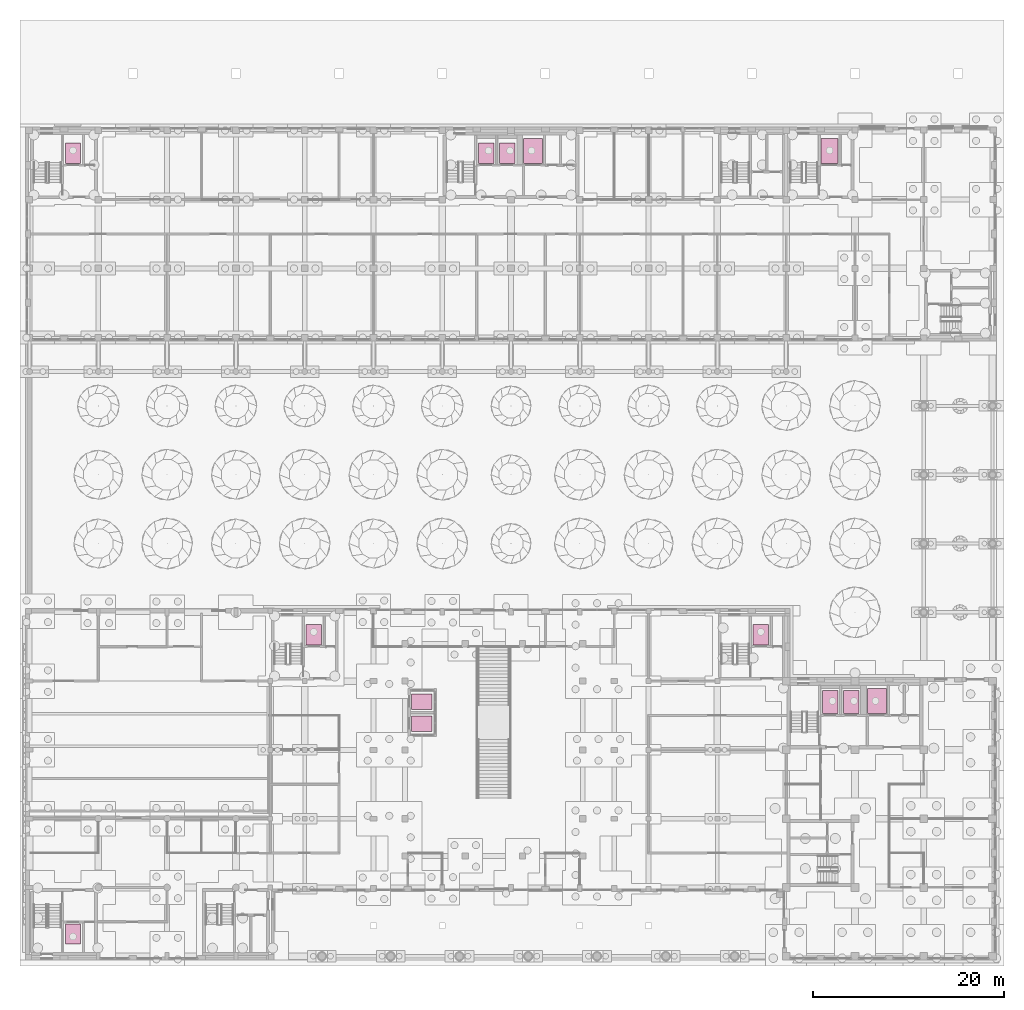
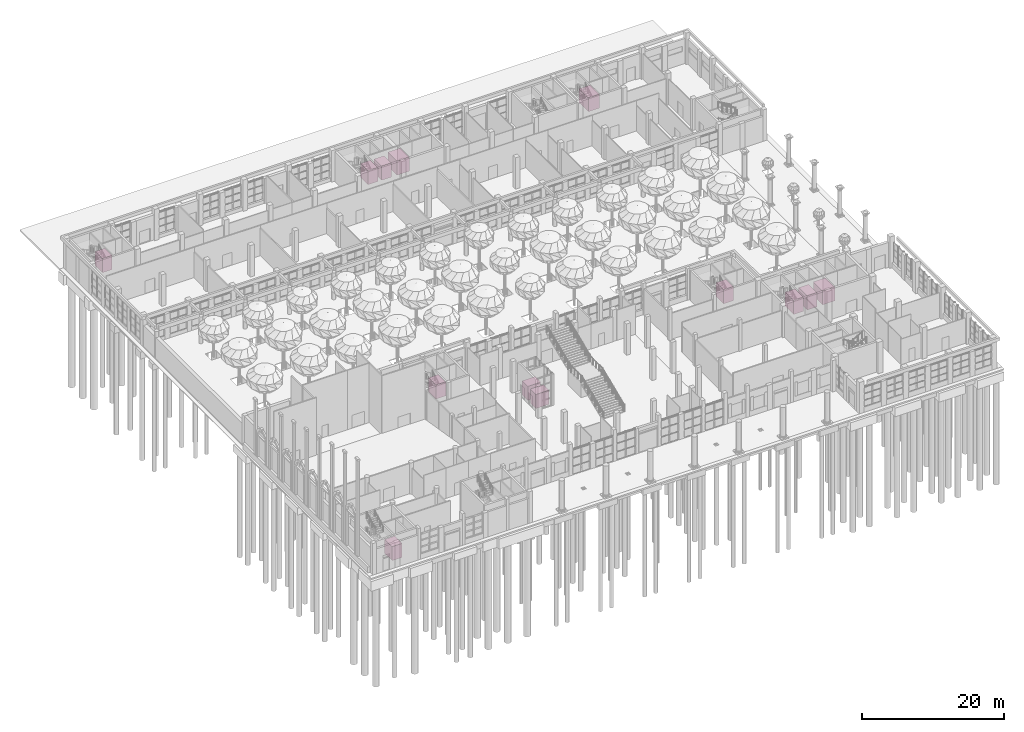
# One storey, part 75 of 80: 13 transport elements.
"""IFC4 building model written with IfcOpenShell, lengths in metres."""

from ifc_helpers import new_model, si_unit, direction, frame, origin, origin_2d, place, context, subcontext, project, spatial, rectangle, extrude, material, type_object, element, save


model = new_model("IFC4")

# Units and contexts
model_context = context("Model", 3, precision=1e-05, world=origin(), true_north=direction((0.0, 1.0)))
body_context = subcontext(model_context, "Body", "Model", "MODEL_VIEW")
ifc_project = project(units=[si_unit("LENGTHUNIT", "METRE"), si_unit("AREAUNIT", "SQUARE_METRE"), si_unit("VOLUMEUNIT", "CUBIC_METRE"), si_unit("PLANEANGLEUNIT", "RADIAN"), si_unit("MASSUNIT", "GRAM", prefix="KILO")], contexts=[model_context])

# Site, building, storey
site_placement = place(None, origin())
site = spatial("IfcSite", under=ifc_project, at=site_placement, CompositionType="ELEMENT")
building_placement = place(site_placement, origin())
building = spatial("IfcBuilding", under=site, at=building_placement, Name="Ussher Court Research Institute", CompositionType="ELEMENT")
storey_placement = place(building_placement, origin())
storey = spatial("IfcBuildingStorey", under=building, at=storey_placement, Name="L00", CompositionType="ELEMENT", Elevation=0.0)

# Transport elements
ifc_material_1 = material(Name="Stainless steel and glass lift car", Category="steel")
transport_element_type_1 = type_object("IfcTransportElementType", Name="Lift car 1600x2100 glazed passenger 1600 kg", PredefinedType="ELEVATOR", material=ifc_material_1)
for number, where, z_axis, x_axis, name in (
    (1, (44.050048828125, 28.35009765625, 0.0), (0.0, 0.0, 1.0), (1.0, 0.0, 0.0), "Lift LP7"),
    (2, (44.050048828125, 30.64990234375, 0.0), (0.0, 0.0, 1.0), (1.0, 0.0, 0.0), "Lift LP8"),
):
    element("IfcTransportElement", number, at=place(storey_placement, frame(where, z_axis=z_axis, x_axis=x_axis)), inside=storey, type_object=transport_element_type_1, Name=name, PredefinedType="ELEVATOR", context=body_context, shape_type="SweptSolid", body=[
        extrude(rectangle(XDim=2.10009765625, YDim=1.60009765625, at=origin_2d()), origin(), (0.0, 0.0, 1.0), 2.39990234375),
    ])
ifc_material_2 = material(Name="Stainless steel lift car", Category="steel")
transport_element_type_2 = type_object("IfcTransportElementType", Name="Lift car 1600x2100 passenger 1600 kg", PredefinedType="ELEVATOR", material=ifc_material_2)
for number, where, z_axis, x_axis, name in (
    (3, (7.550048828125, 88.050048828125, 0.0), (0.0, 0.0, 1.0), (1.0, 0.0, 0.0), "Lift LP3"),
    (4, (50.800048828125, 88.050048828125, 0.0), (0.0, 0.0, 1.0), (1.0, 0.0, 0.0), "Lift LP1"),
    (5, (53.0, 88.050048828125, 0.0), (0.0, 0.0, 1.0), (1.0, 0.0, 0.0), "Lift LP2"),
    (6, (79.550048828125, 37.64990234375, 0.0), (0.0, 0.0, 1.0), (1.0, 0.0, 0.0), "Lift LP5"),
    (7, (7.550048828125, 6.35009765625, 0.0), (0.0, 0.0, 1.0), (1.0, 0.0, 0.0), "Lift LP6"),
    (8, (32.75, 37.64990234375, 0.0), (0.0, 0.0, 1.0), (1.0, 0.0, 0.0), "Lift LP4"),
):
    element("IfcTransportElement", number, at=place(storey_placement, frame(where, z_axis=z_axis, x_axis=x_axis)), inside=storey, type_object=transport_element_type_2, Name=name, PredefinedType="ELEVATOR", context=body_context, shape_type="SweptSolid", body=[
        extrude(rectangle(XDim=1.60009765625, YDim=2.10009765625, at=origin_2d()), origin(), (0.0, 0.0, 1.0), 2.39990234375),
    ])
ifc_material_3 = material(Name="Stainless steel lift car", Category="steel")
transport_element_type_3 = type_object("IfcTransportElementType", Name="Lift car 1600x2400 firefighting 1800 kg", PredefinedType="ELEVATOR", material=ifc_material_3)
for number, where, z_axis, x_axis, name in (
    (9, (86.800048828125, 30.60009765625, 0.0), (0.0, 0.0, 1.0), (1.0, 0.0, 0.0), "Lift FL1"),
    (10, (89.0, 30.60009765625, 0.0), (0.0, 0.0, 1.0), (1.0, 0.0, 0.0), "Lift FL2"),
):
    element("IfcTransportElement", number, at=place(storey_placement, frame(where, z_axis=z_axis, x_axis=x_axis)), inside=storey, type_object=transport_element_type_3, Name=name, PredefinedType="ELEVATOR", context=body_context, shape_type="SweptSolid", body=[
        extrude(rectangle(XDim=1.60009765625, YDim=2.39990234375, at=origin_2d()), origin(), (0.0, 0.0, 1.0), 2.39990234375),
    ])
ifc_material_4 = material(Name="Stainless steel lift car", Category="steel")
transport_element_type_4 = type_object("IfcTransportElementType", Name="Lift car 1800x2600 goods 2500 kg", PredefinedType="ELEVATOR", material=ifc_material_4)
transport_element_placement = place(storey_placement, frame((86.75, 88.300048828125, 0.0), z_axis=(0.0, 0.0, 1.0), x_axis=(1.0, 0.0, 0.0)))
element("IfcTransportElement", 11, at=transport_element_placement, inside=storey, type_object=transport_element_type_4, Name="Lift LG3", PredefinedType="ELEVATOR", context=body_context, shape_type="SweptSolid", body=[
    extrude(rectangle(XDim=1.800048828125, YDim=2.60009765625, at=origin_2d()), origin(), (0.0, 0.0, 1.0), 2.39990234375),
])
ifc_material_5 = material(Name="Stainless steel lift car", Category="steel")
transport_element_type_5 = type_object("IfcTransportElementType", Name="Lift car 2000x2600 goods 2500 kg", PredefinedType="ELEVATOR", material=ifc_material_5)
for number, where, z_axis, x_axis, name in (
    (12, (55.699951171875, 88.300048828125, 0.0), (0.0, 0.0, 1.0), (1.0, 0.0, 0.0), "Lift LG2"),
    (13, (91.699951171875, 30.699951171875, 0.0), (0.0, 0.0, 1.0), (1.0, 0.0, 0.0), "Lift LG1"),
):
    element("IfcTransportElement", number, at=place(storey_placement, frame(where, z_axis=z_axis, x_axis=x_axis)), inside=storey, type_object=transport_element_type_5, Name=name, PredefinedType="ELEVATOR", context=body_context, shape_type="SweptSolid", body=[
        extrude(rectangle(XDim=2.0, YDim=2.60009765625, at=origin_2d()), origin(), (0.0, 0.0, 1.0), 2.39990234375),
    ])

save(model, "model.ifc")
